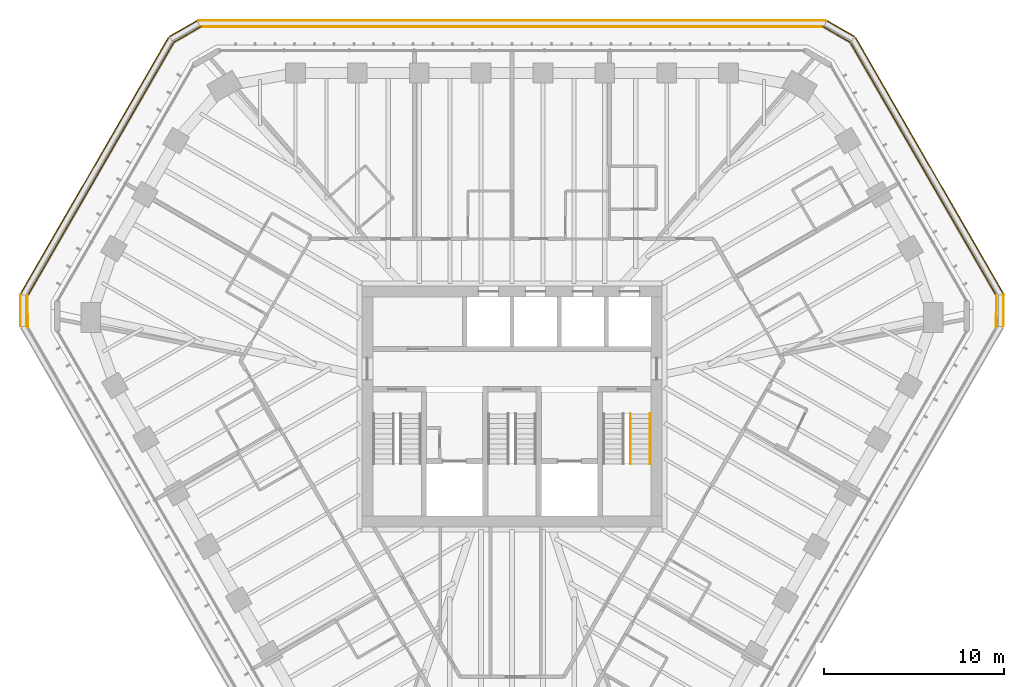
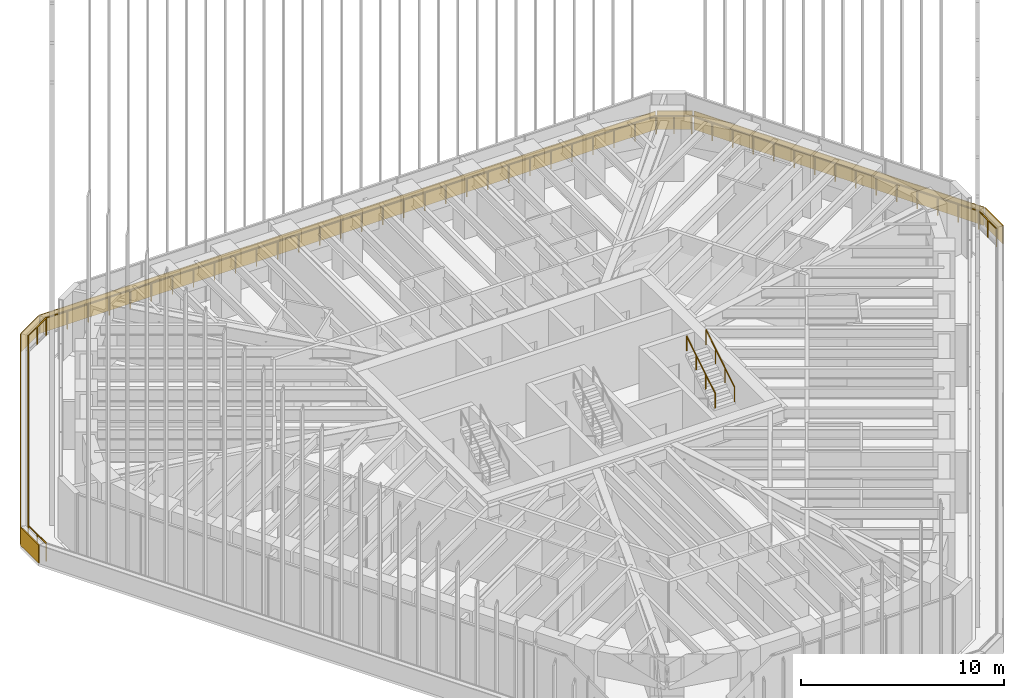
# One storey, part 127 of 127: 9 railings, 7 coverings.
"""IFC4 building model written with IfcOpenShell, lengths in metres."""

import ifcopenshell
import ifcopenshell.guid

model = None  # the IFC model being written
_history = None  # IfcOwnerHistory: only IFC2X3 demands one
_inside = {}  # id of a spatial element -> (the spatial element, [elements in it])
_under = {}  # id of a project, library or spatial element -> (it, [spatial elements below it])
_declared = {}  # id of a project -> (the project, [libraries it declares])
_typed = {}  # id of a type object -> (the type object, [elements of that type])
_made_of = {}  # id of a material, layer set ... -> (it, [elements and type objects made of it])


def new_model(schema):
    """Start an empty IFC model of exactly this schema.

    Asked for "IFC4X3", IfcOpenShell would pick the latest addendum, in which some entities
    have other attributes; the version numbers below select the first issue.
    IFC2X3 requires an IfcOwnerHistory on every rooted entity: one is made here for all.
    """
    global model, _history
    if schema == "IFC4X3":
        model = ifcopenshell.file(schema_version=(4, 3, 0, 0))
    else:
        model = ifcopenshell.file(schema=schema)
    _inside.clear()
    _under.clear()
    _declared.clear()
    _typed.clear()
    _made_of.clear()
    _history = None
    if model.schema == "IFC2X3":
        org = make("IfcOrganization", Name="unknown")
        user = make(
            "IfcPersonAndOrganization",
            ThePerson=make("IfcPerson", FamilyName="unknown"),
            TheOrganization=org,
        )
        app = make(
            "IfcApplication",
            ApplicationDeveloper=org,
            Version="unknown",
            ApplicationFullName="unknown",
            ApplicationIdentifier="unknown",
        )
        _history = make(
            "IfcOwnerHistory",
            OwningUser=user,
            OwningApplication=app,
            ChangeAction="ADDED",
            CreationDate=0,
        )
    return model


def make(cls, **values):
    """One entity of the class cls with the attributes given. An attribute that is None is left unset."""
    return model.create_entity(
        cls, **{name: value for name, value in values.items() if value is not None}
    )


def rooted(cls, **values):
    """An entity with a GlobalId (a new one), such as an element, a storey or a relation."""
    return make(cls, GlobalId=ifcopenshell.guid.new(), OwnerHistory=_history, **values)


def si_unit(unit_type, name, prefix=None):
    """IfcSIUnit, for example si_unit("LENGTHUNIT", "METRE", prefix="MILLI")."""
    return make("IfcSIUnit", UnitType=unit_type, Prefix=prefix, Name=name)


def assignment(units):
    """IfcUnitAssignment: the units of a project."""
    return None if units is None else make("IfcUnitAssignment", Units=units)


def point(xyz):
    """IfcCartesianPoint."""
    return None if xyz is None else make("IfcCartesianPoint", Coordinates=xyz)


def direction(xyz):
    """IfcDirection."""
    return None if xyz is None else make("IfcDirection", DirectionRatios=xyz)


def frame(location, z_axis=None, x_axis=None):
    """IfcAxis2Placement3D, a coordinate frame: its origin and axes. An axis left out is left unset."""
    return make(
        "IfcAxis2Placement3D",
        Location=point(location),
        Axis=direction(z_axis),
        RefDirection=direction(x_axis),
    )


def frame_2d(location, x_axis=None):
    """IfcAxis2Placement2D, a coordinate frame in the plane: its origin and x axis."""
    return make(
        "IfcAxis2Placement2D", Location=point(location), RefDirection=direction(x_axis)
    )


def origin():
    """The frame at (0, 0, 0) with its axes left unset."""
    return frame((0.0, 0.0, 0.0))


def origin_2d():
    """The frame at (0, 0) in the plane with its x axis left unset."""
    return frame_2d((0.0, 0.0))


def place(relative_to, where):
    """IfcLocalPlacement: puts the frame where relative to a parent placement (None: the world)."""
    return make(
        "IfcLocalPlacement", PlacementRelTo=relative_to, RelativePlacement=where
    )


def context(
    kind, dimensions, precision=None, world=None, true_north=None, identifier=None
):
    """IfcGeometricRepresentationContext, for example the 3D "Model" context."""
    return make(
        "IfcGeometricRepresentationContext",
        ContextIdentifier=identifier,
        ContextType=kind,
        CoordinateSpaceDimension=dimensions,
        Precision=precision,
        WorldCoordinateSystem=world,
        TrueNorth=true_north,
    )


def subcontext(parent, identifier, kind, view, scale=None):
    """IfcGeometricRepresentationSubContext, for example "Body" below "Model"."""
    return make(
        "IfcGeometricRepresentationSubContext",
        ContextIdentifier=identifier,
        ContextType=kind,
        ParentContext=parent,
        TargetScale=scale,
        TargetView=view,
    )


def project(units=None, contexts=None):
    """IfcProject with its units and contexts."""
    return rooted(
        "IfcProject",
        Name="project",
        RepresentationContexts=contexts,
        UnitsInContext=assignment(units),
    )


def spatial(cls, under=None, at=None, **own):
    """A site, building, storey or space (cls), placed at a placement, below another one or the project."""
    s = rooted(cls, ObjectPlacement=at, **own)
    if under is not None:
        _under.setdefault(under.id(), (under, []))[1].append(s)
    return s


def profile(cls, at=None, kind="AREA", **sizes):
    """A parametric profile (cls). Its sizes go by their IFC names, for example OverallWidth=200.0."""
    return make(cls, ProfileType=kind, Position=at, **sizes)


def rectangle(**sizes):
    """IfcRectangleProfileDef."""
    return profile("IfcRectangleProfileDef", **sizes)


def circle(**sizes):
    """IfcCircleProfileDef."""
    return profile("IfcCircleProfileDef", **sizes)


def extrude(swept, where, along, depth):
    """IfcExtrudedAreaSolid: the profile swept, set in the frame where, extruded along a direction by depth."""
    return make(
        "IfcExtrudedAreaSolid",
        SweptArea=swept,
        Position=where,
        ExtrudedDirection=direction(along),
        Depth=depth,
    )


def shape(context_of_items, identifier, shape_type, items):
    """IfcShapeRepresentation: the items that make up one representation, for example the "Body"."""
    return make(
        "IfcShapeRepresentation",
        ContextOfItems=context_of_items,
        RepresentationIdentifier=identifier,
        RepresentationType=shape_type,
        Items=items,
    )


def material(Name=None, Category=None):
    """IfcMaterial."""
    return make("IfcMaterial", Name=Name, Category=Category)


def layer(
    of_material, thickness, ventilated=None, Name=None, Category=None, Priority=None
):
    """IfcMaterialLayer: one layer of a wall or slab, of a material (None: an air gap)."""
    return make(
        "IfcMaterialLayer",
        Material=of_material,
        LayerThickness=thickness,
        IsVentilated=ventilated,
        Name=Name,
        Category=Category,
        Priority=Priority,
    )


def layer_set(layers, Name=None):
    """IfcMaterialLayerSet."""
    return make("IfcMaterialLayerSet", MaterialLayers=layers, LayerSetName=Name)


def made_of(thing, what):
    """Note that an element or type object is made of a material, layer set ...; save() writes the relation."""
    if what is not None:
        _made_of.setdefault(what.id(), (what, []))[1].append(thing)
    return thing


def type_object(cls, material=None, **own):
    """A type object (cls), such as IfcWallType, which elements share."""
    return made_of(rooted(cls, **own), material)


def element(
    cls,
    number,
    at=None,
    inside=None,
    cuts=None,
    type_object=None,
    material=None,
    context=None,
    identifier="Body",
    shape_type=None,
    held_by="IfcProductDefinitionShape",
    body=None,
    shapes=None,
    **own,
):
    """One element of the class cls, such as IfcWall. Its Tag is "e" and its number.

    at: its placement. inside: the storey or other place that contains it. cuts: it is an
    opening in that element (IfcRelVoidsElement). A single representation is given by context,
    identifier, shape_type and body (its items); several are given by shapes. held_by: the class
    of the entity that holds the representations. save() writes the other relations.
    """
    e = rooted(cls, Tag="e%d" % number, ObjectPlacement=at, **own)
    if body is not None:
        shapes = [shape(context, identifier, shape_type, body)]
    if shapes is not None:
        e.Representation = make(held_by, Representations=shapes)
    if inside is not None:
        _inside.setdefault(inside.id(), (inside, []))[1].append(e)
    if cuts is not None:
        rooted(
            "IfcRelVoidsElement", RelatingBuildingElement=cuts, RelatedOpeningElement=e
        )
    if type_object is not None:
        _typed.setdefault(type_object.id(), (type_object, []))[1].append(e)
    return made_of(e, material)


def aggregate(whole, parts):
    """IfcRelAggregates: a whole, such as a stair, and the parts it consists of."""
    return rooted("IfcRelAggregates", RelatingObject=whole, RelatedObjects=parts)


def save(model, path):
    """Write the relations noted so far, then the file.

    IfcRelAggregates (storeys below a building ...), IfcRelContainedInSpatialStructure (elements
    in a storey), IfcRelDefinesByType, IfcRelAssociatesMaterial and IfcRelDeclares: one each for
    every whole, place, type object, material and project.
    """
    for whole, parts in _under.values():
        aggregate(whole, parts)
    for where, things in _inside.values():
        rooted(
            "IfcRelContainedInSpatialStructure",
            RelatedElements=things,
            RelatingStructure=where,
        )
    for kind, things in _typed.values():
        rooted("IfcRelDefinesByType", RelatedObjects=things, RelatingType=kind)
    for what, things in _made_of.values():
        rooted("IfcRelAssociatesMaterial", RelatedObjects=things, RelatingMaterial=what)
    for by, libraries in _declared.values():
        rooted("IfcRelDeclares", RelatingContext=by, RelatedDefinitions=libraries)
    model.write(path)


model = new_model("IFC4")

# Units and contexts
model_context = context("Model", 3, precision=1e-05, world=origin(), true_north=direction((0.0, 1.0)))
body_context = subcontext(model_context, "Body", "Model", "MODEL_VIEW")
ifc_project = project(units=[si_unit("LENGTHUNIT", "METRE"), si_unit("AREAUNIT", "SQUARE_METRE"), si_unit("VOLUMEUNIT", "CUBIC_METRE"), si_unit("PLANEANGLEUNIT", "RADIAN"), si_unit("MASSUNIT", "GRAM", prefix="KILO")], contexts=[model_context])

# Site, building, storey
site_placement = place(None, origin())
site = spatial("IfcSite", under=ifc_project, at=site_placement, CompositionType="ELEMENT")
building_placement = place(site_placement, origin())
building = spatial("IfcBuilding", under=site, at=building_placement, Name="Sandreach Pilgrim Tower", CompositionType="ELEMENT")
storey_placement = place(building_placement, frame((0.0, 0.0, 257.0)))
storey = spatial("IfcBuildingStorey", under=building, at=storey_placement, Name="L64", CompositionType="ELEMENT", Elevation=257.0)

# Railings
ifc_material_1 = material(Name="Galvanised steel guardrail", Category="steel")
railing_type_1 = type_object("IfcRailingType", Name="Setback roof guard", PredefinedType="GUARDRAIL", material=ifc_material_1)
railing_1_placement = place(storey_placement, frame((-17.309814453125, 21.150634765625, 0.0)))
element("IfcRailing", 1, at=railing_1_placement, inside=storey, type_object=railing_type_1, Name="Setback maintenance roof guard L64 1", PredefinedType="GUARDRAIL", context=body_context, shape_type="SweptSolid", body=[
    extrude(circle(Radius=0.02392578125, at=origin_2d()), frame((0.0, 0.0, 1.076171875), z_axis=(-0.867363799103, -0.497674632673, 0.0), x_axis=(0.497674632673, -0.867363799103, 0.0)), (0.0, 0.0, 1.0), 1.745361328125),
    extrude(circle(Radius=0.02099609375, at=origin_2d()), origin(), (0.0, 0.0, 1.0), 1.052001953125),
    extrude(circle(Radius=0.02099609375, at=origin_2d()), frame((-0.7568359375, -0.434326171875, 0.0)), (0.0, 0.0, 1.0), 1.052001953125),
    extrude(circle(Radius=0.02099609375, at=origin_2d()), frame((-1.513916015625, -0.86865234375, 0.0)), (0.0, 0.0, 1.0), 1.052001953125),
])
railing_2_placement = place(storey_placement, frame((-18.82373046875, 20.281982421875, 0.0)))
element("IfcRailing", 2, at=railing_2_placement, inside=storey, type_object=railing_type_1, Name="Setback maintenance roof guard L64 2", PredefinedType="GUARDRAIL", context=body_context, shape_type="SweptSolid", body=[
    extrude(circle(Radius=0.02392578125, at=origin_2d()), frame((0.0, 0.0, 1.076171875), z_axis=(-0.500000678604, -0.866025011992, 0.0), x_axis=(0.866025011992, -0.500000678604, 0.0)), (0.0, 0.0, 1.0), 16.3056640625),
    extrude(circle(Radius=0.02099609375, at=origin_2d()), origin(), (0.0, 0.0, 1.0), 1.052001953125),
    extrude(circle(Radius=0.02099609375, at=origin_2d()), frame((-0.582275390625, -1.008544921875, 0.0)), (0.0, 0.0, 1.0), 1.052001953125),
    extrude(circle(Radius=0.02099609375, at=origin_2d()), frame((-1.164794921875, -2.017333984375, 0.0)), (0.0, 0.0, 1.0), 1.052001953125),
    extrude(circle(Radius=0.02099609375, at=origin_2d()), frame((-1.7470703125, -3.02587890625, 0.0)), (0.0, 0.0, 1.0), 1.052001953125),
    extrude(circle(Radius=0.02099609375, at=origin_2d()), frame((-2.329345703125, -4.03466796875, 0.0)), (0.0, 0.0, 1.0), 1.052001953125),
    extrude(circle(Radius=0.02099609375, at=origin_2d()), frame((-2.91162109375, -5.043212890625, 0.0)), (0.0, 0.0, 1.0), 1.052001953125),
    extrude(circle(Radius=0.02099609375, at=origin_2d()), frame((-3.494140625, -6.052001953125, 0.0)), (0.0, 0.0, 1.0), 1.052001953125),
    extrude(circle(Radius=0.02099609375, at=origin_2d()), frame((-4.076416015625, -7.060546875, 0.0)), (0.0, 0.0, 1.0), 1.052001953125),
    extrude(circle(Radius=0.02099609375, at=origin_2d()), frame((-4.65869140625, -8.069091796875, 0.0)), (0.0, 0.0, 1.0), 1.052001953125),
    extrude(circle(Radius=0.02099609375, at=origin_2d()), frame((-5.2412109375, -9.077880859375, 0.0)), (0.0, 0.0, 1.0), 1.052001953125),
    extrude(circle(Radius=0.02099609375, at=origin_2d()), frame((-5.823486328125, -10.08642578125, 0.0)), (0.0, 0.0, 1.0), 1.052001953125),
    extrude(circle(Radius=0.02099609375, at=origin_2d()), frame((-6.40576171875, -11.09521484375, 0.0)), (0.0, 0.0, 1.0), 1.052001953125),
    extrude(circle(Radius=0.02099609375, at=origin_2d()), frame((-6.988037109375, -12.103759765625, 0.0)), (0.0, 0.0, 1.0), 1.052001953125),
    extrude(circle(Radius=0.02099609375, at=origin_2d()), frame((-7.570556640625, -13.112548828125, 0.0)), (0.0, 0.0, 1.0), 1.052001953125),
    extrude(circle(Radius=0.02099609375, at=origin_2d()), frame((-8.15283203125, -14.12109375, 0.0)), (0.0, 0.0, 1.0), 1.052001953125),
])
railing_3_placement = place(storey_placement, frame((-26.9765625, 6.160888671875, 0.0)))
element("IfcRailing", 3, at=railing_3_placement, inside=storey, type_object=railing_type_1, Name="Setback maintenance roof guard L64 3", PredefinedType="GUARDRAIL", context=body_context, shape_type="SweptSolid", body=[
    extrude(circle(Radius=0.02392578125, at=origin_2d()), frame((0.0, 0.0, 1.076171875), z_axis=(0.002797583121, -0.999996086757, 0.0), x_axis=(0.999996086757, 0.002797583121, 0.0)), (0.0, 0.0, 1.0), 1.745361328125),
    extrude(circle(Radius=0.02099609375, at=origin_2d()), origin(), (0.0, 0.0, 1.0), 1.052001953125),
    extrude(circle(Radius=0.02099609375, at=origin_2d()), frame((0.00244140625, -0.87255859375, 0.0)), (0.0, 0.0, 1.0), 1.052001953125),
    extrude(circle(Radius=0.02099609375, at=origin_2d()), frame((0.0048828125, -1.745361328125, 0.0)), (0.0, 0.0, 1.0), 1.052001953125),
])
railing_4_placement = place(storey_placement, frame((26.9716796875, 4.41552734375, 0.0)))
element("IfcRailing", 4, at=railing_4_placement, inside=storey, type_object=railing_type_1, Name="Setback maintenance roof guard L64 9", PredefinedType="GUARDRAIL", context=body_context, shape_type="SweptSolid", body=[
    extrude(circle(Radius=0.02392578125, at=origin_2d()), frame((0.0, 0.0, 1.076171875), z_axis=(0.002797583121, 0.999996086757, 0.0), x_axis=(-0.999996086757, 0.002797583121, 0.0)), (0.0, 0.0, 1.0), 1.745361328125),
    extrude(circle(Radius=0.02099609375, at=origin_2d()), origin(), (0.0, 0.0, 1.0), 1.052001953125),
    extrude(circle(Radius=0.02099609375, at=origin_2d()), frame((0.00244140625, 0.87255859375, 0.0)), (0.0, 0.0, 1.0), 1.052001953125),
    extrude(circle(Radius=0.02099609375, at=origin_2d()), frame((0.0048828125, 1.745361328125, 0.0)), (0.0, 0.0, 1.0), 1.052001953125),
])
railing_5_placement = place(storey_placement, frame((26.9765625, 6.160888671875, 0.0)))
element("IfcRailing", 5, at=railing_5_placement, inside=storey, type_object=railing_type_1, Name="Setback maintenance roof guard L64 10", PredefinedType="GUARDRAIL", context=body_context, shape_type="SweptSolid", body=[
    extrude(circle(Radius=0.02392578125, at=origin_2d()), frame((0.0, 0.0, 1.076171875), z_axis=(-0.500000678604, 0.866025011992, 0.0), x_axis=(-0.866025011992, -0.500000678604, 0.0)), (0.0, 0.0, 1.0), 16.3056640625),
    extrude(circle(Radius=0.02099609375, at=origin_2d()), origin(), (0.0, 0.0, 1.0), 1.052001953125),
    extrude(circle(Radius=0.02099609375, at=origin_2d()), frame((-0.582275390625, 1.008544921875, 0.0)), (0.0, 0.0, 1.0), 1.052001953125),
    extrude(circle(Radius=0.02099609375, at=origin_2d()), frame((-1.164794921875, 2.017333984375, 0.0)), (0.0, 0.0, 1.0), 1.052001953125),
    extrude(circle(Radius=0.02099609375, at=origin_2d()), frame((-1.7470703125, 3.02587890625, 0.0)), (0.0, 0.0, 1.0), 1.052001953125),
    extrude(circle(Radius=0.02099609375, at=origin_2d()), frame((-2.329345703125, 4.03466796875, 0.0)), (0.0, 0.0, 1.0), 1.052001953125),
    extrude(circle(Radius=0.02099609375, at=origin_2d()), frame((-2.91162109375, 5.043212890625, 0.0)), (0.0, 0.0, 1.0), 1.052001953125),
    extrude(circle(Radius=0.02099609375, at=origin_2d()), frame((-3.494140625, 6.052001953125, 0.0)), (0.0, 0.0, 1.0), 1.052001953125),
    extrude(circle(Radius=0.02099609375, at=origin_2d()), frame((-4.076416015625, 7.060546875, 0.0)), (0.0, 0.0, 1.0), 1.052001953125),
    extrude(circle(Radius=0.02099609375, at=origin_2d()), frame((-4.65869140625, 8.069091796875, 0.0)), (0.0, 0.0, 1.0), 1.052001953125),
    extrude(circle(Radius=0.02099609375, at=origin_2d()), frame((-5.2412109375, 9.077880859375, 0.0)), (0.0, 0.0, 1.0), 1.052001953125),
    extrude(circle(Radius=0.02099609375, at=origin_2d()), frame((-5.823486328125, 10.08642578125, 0.0)), (0.0, 0.0, 1.0), 1.052001953125),
    extrude(circle(Radius=0.02099609375, at=origin_2d()), frame((-6.40576171875, 11.09521484375, 0.0)), (0.0, 0.0, 1.0), 1.052001953125),
    extrude(circle(Radius=0.02099609375, at=origin_2d()), frame((-6.988037109375, 12.103759765625, 0.0)), (0.0, 0.0, 1.0), 1.052001953125),
    extrude(circle(Radius=0.02099609375, at=origin_2d()), frame((-7.570556640625, 13.112548828125, 0.0)), (0.0, 0.0, 1.0), 1.052001953125),
    extrude(circle(Radius=0.02099609375, at=origin_2d()), frame((-8.15283203125, 14.12109375, 0.0)), (0.0, 0.0, 1.0), 1.052001953125),
])
railing_6_placement = place(storey_placement, frame((18.82373046875, 20.281982421875, 0.0)))
element("IfcRailing", 6, at=railing_6_placement, inside=storey, type_object=railing_type_1, Name="Setback maintenance roof guard L64 11", PredefinedType="GUARDRAIL", context=body_context, shape_type="SweptSolid", body=[
    extrude(circle(Radius=0.02392578125, at=origin_2d()), frame((0.0, 0.0, 1.076171875), z_axis=(-0.867363799103, 0.497674632673, 0.0), x_axis=(-0.497674632673, -0.867363799103, 0.0)), (0.0, 0.0, 1.0), 1.745361328125),
    extrude(circle(Radius=0.02099609375, at=origin_2d()), origin(), (0.0, 0.0, 1.0), 1.052001953125),
    extrude(circle(Radius=0.02099609375, at=origin_2d()), frame((-0.7568359375, 0.434326171875, 0.0)), (0.0, 0.0, 1.0), 1.052001953125),
    extrude(circle(Radius=0.02099609375, at=origin_2d()), frame((-1.513916015625, 0.86865234375, 0.0)), (0.0, 0.0, 1.0), 1.052001953125),
])
railing_7_placement = place(storey_placement, frame((17.309814453125, 21.150634765625, 0.0)))
element("IfcRailing", 7, at=railing_7_placement, inside=storey, type_object=railing_type_1, Name="Setback maintenance roof guard L64 12", PredefinedType="GUARDRAIL", context=body_context, shape_type="SweptSolid", body=[
    extrude(circle(Radius=0.02392578125, at=origin_2d()), frame((0.0, 0.0, 1.076171875), z_axis=(-1.0, 0.0, 0.0), x_axis=(0.0, -1.0, 0.0)), (0.0, 0.0, 1.0), 34.61962890625),
    extrude(circle(Radius=0.02099609375, at=origin_2d()), origin(), (0.0, 0.0, 1.0), 1.052001953125),
    extrude(circle(Radius=0.02099609375, at=origin_2d()), frame((-1.19384765625, 0.0, 0.0)), (0.0, 0.0, 1.0), 1.052001953125),
    extrude(circle(Radius=0.02099609375, at=origin_2d()), frame((-2.387451171875, 0.0, 0.0)), (0.0, 0.0, 1.0), 1.052001953125),
    extrude(circle(Radius=0.02099609375, at=origin_2d()), frame((-3.581298828125, 0.0, 0.0)), (0.0, 0.0, 1.0), 1.052001953125),
    extrude(circle(Radius=0.02099609375, at=origin_2d()), frame((-4.775146484375, 0.0, 0.0)), (0.0, 0.0, 1.0), 1.052001953125),
    extrude(circle(Radius=0.02099609375, at=origin_2d()), frame((-5.968994140625, 0.0, 0.0)), (0.0, 0.0, 1.0), 1.052001953125),
    extrude(circle(Radius=0.02099609375, at=origin_2d()), frame((-7.16259765625, 0.0, 0.0)), (0.0, 0.0, 1.0), 1.052001953125),
    extrude(circle(Radius=0.02099609375, at=origin_2d()), frame((-8.3564453125, 0.0, 0.0)), (0.0, 0.0, 1.0), 1.052001953125),
    extrude(circle(Radius=0.02099609375, at=origin_2d()), frame((-9.55029296875, 0.0, 0.0)), (0.0, 0.0, 1.0), 1.052001953125),
    extrude(circle(Radius=0.02099609375, at=origin_2d()), frame((-10.744140625, 0.0, 0.0)), (0.0, 0.0, 1.0), 1.052001953125),
    extrude(circle(Radius=0.02099609375, at=origin_2d()), frame((-11.937744140625, 0.0, 0.0)), (0.0, 0.0, 1.0), 1.052001953125),
    extrude(circle(Radius=0.02099609375, at=origin_2d()), frame((-13.131591796875, 0.0, 0.0)), (0.0, 0.0, 1.0), 1.052001953125),
    extrude(circle(Radius=0.02099609375, at=origin_2d()), frame((-14.325439453125, 0.0, 0.0)), (0.0, 0.0, 1.0), 1.052001953125),
    extrude(circle(Radius=0.02099609375, at=origin_2d()), frame((-15.51904296875, 0.0, 0.0)), (0.0, 0.0, 1.0), 1.052001953125),
    extrude(circle(Radius=0.02099609375, at=origin_2d()), frame((-16.712890625, 0.0, 0.0)), (0.0, 0.0, 1.0), 1.052001953125),
    extrude(circle(Radius=0.02099609375, at=origin_2d()), frame((-17.90673828125, 0.0, 0.0)), (0.0, 0.0, 1.0), 1.052001953125),
    extrude(circle(Radius=0.02099609375, at=origin_2d()), frame((-19.1005859375, 0.0, 0.0)), (0.0, 0.0, 1.0), 1.052001953125),
    extrude(circle(Radius=0.02099609375, at=origin_2d()), frame((-20.294189453125, 0.0, 0.0)), (0.0, 0.0, 1.0), 1.052001953125),
    extrude(circle(Radius=0.02099609375, at=origin_2d()), frame((-21.488037109375, 0.0, 0.0)), (0.0, 0.0, 1.0), 1.052001953125),
    extrude(circle(Radius=0.02099609375, at=origin_2d()), frame((-22.681884765625, 0.0, 0.0)), (0.0, 0.0, 1.0), 1.052001953125),
    extrude(circle(Radius=0.02099609375, at=origin_2d()), frame((-23.87548828125, 0.0, 0.0)), (0.0, 0.0, 1.0), 1.052001953125),
    extrude(circle(Radius=0.02099609375, at=origin_2d()), frame((-25.0693359375, 0.0, 0.0)), (0.0, 0.0, 1.0), 1.052001953125),
    extrude(circle(Radius=0.02099609375, at=origin_2d()), frame((-26.26318359375, 0.0, 0.0)), (0.0, 0.0, 1.0), 1.052001953125),
    extrude(circle(Radius=0.02099609375, at=origin_2d()), frame((-27.45703125, 0.0, 0.0)), (0.0, 0.0, 1.0), 1.052001953125),
    extrude(circle(Radius=0.02099609375, at=origin_2d()), frame((-28.650634765625, 0.0, 0.0)), (0.0, 0.0, 1.0), 1.052001953125),
    extrude(circle(Radius=0.02099609375, at=origin_2d()), frame((-29.844482421875, 0.0, 0.0)), (0.0, 0.0, 1.0), 1.052001953125),
    extrude(circle(Radius=0.02099609375, at=origin_2d()), frame((-31.038330078125, 0.0, 0.0)), (0.0, 0.0, 1.0), 1.052001953125),
    extrude(circle(Radius=0.02099609375, at=origin_2d()), frame((-32.232177734375, 0.0, 0.0)), (0.0, 0.0, 1.0), 1.052001953125),
    extrude(circle(Radius=0.02099609375, at=origin_2d()), frame((-33.42578125, 0.0, 0.0)), (0.0, 0.0, 1.0), 1.052001953125),
    extrude(circle(Radius=0.02099609375, at=origin_2d()), frame((-34.61962890625, 0.0, 0.0)), (0.0, 0.0, 1.0), 1.052001953125),
])
ifc_material_2 = material(Name="Stainless steel tube", Category="steel")
railing_type_2 = type_object("IfcRailingType", Name="Stair handrail", PredefinedType="HANDRAIL", material=ifc_material_2)
for number, where, name in (
    (8, (6.60009765625, -3.199951171875, 2.07275390625), "Handrail ST2 L64 flight 2"),
    (9, (7.699951171875, -3.199951171875, 2.07275390625), "Handrail ST2 L64 flight 2"),
):
    element("IfcRailing", number, at=place(storey_placement, frame(where)), inside=storey, type_object=railing_type_2, Name=name, PredefinedType="HANDRAIL", context=body_context, shape_type="SweptSolid", body=[
        extrude(circle(Radius=0.02392578125, at=origin_2d()), frame((0.0, 0.0, 0.8759765625), z_axis=(0.0, 0.851089632645, 0.525020415988), x_axis=(-1.0, 0.0, 0.0)), (0.0, 0.0, 1.0), 3.2900390625),
        extrude(circle(Radius=0.02099609375, at=origin_2d()), origin(), (0.0, 0.0, 1.0), 0.851806640625),
        extrude(circle(Radius=0.02099609375, at=origin_2d()), frame((0.0, 0.933349609375, 0.57568359375)), (0.0, 0.0, 1.0), 0.851806640625),
        extrude(circle(Radius=0.02099609375, at=origin_2d()), frame((0.0, 1.86669921875, 1.151611328125)), (0.0, 0.0, 1.0), 0.851806640625),
        extrude(circle(Radius=0.02099609375, at=origin_2d()), frame((0.0, 2.800048828125, 1.727294921875)), (0.0, 0.0, 1.0), 0.851806640625),
    ])

# Coverings
ifc_material_3 = material(Name="Terracotta rainscreen panels on aluminium rails", Category="masonry")
ifc_layer = layer(ifc_material_3, 0.050048828125)
ifc_layer_set = layer_set([ifc_layer], Name="Terracotta rainscreen cladding 50")
covering_type = type_object("IfcCoveringType", Name="Terracotta rainscreen cladding 50", PredefinedType="CLADDING", material=ifc_layer_set)
covering_1_placement = place(storey_placement, frame((-17.54296875, 21.47412109375, 0.0), z_axis=(0.0, 0.0, 1.0), x_axis=(-0.866531606097, -0.499122205112, 0.0)))
element("IfcCovering", 10, at=covering_1_placement, inside=storey, type_object=covering_type, Name="Rainscreen cladding on setback parapet l64 1", PredefinedType="CLADDING", context=body_context, shape_type="SweptSolid", body=[
    extrude(rectangle(XDim=1.760986328125, YDim=0.050048828125, at=frame_2d((0.88037109375, 0.0))), origin(), (0.0, 0.0, 1.0), 1.10009765625),
])
covering_2_placement = place(storey_placement, frame((-19.123779296875, 20.540283203125, 0.0), z_axis=(0.0, 0.0, 1.0), x_axis=(-0.49999647861, -0.86602743685, 0.0)))
element("IfcCovering", 11, at=covering_2_placement, inside=storey, type_object=covering_type, Name="Rainscreen cladding on setback parapet l64 2", PredefinedType="CLADDING", context=body_context, shape_type="SweptSolid", body=[
    extrude(rectangle(XDim=16.45263671875, YDim=0.050048828125, at=frame_2d((8.226318359375, 0.0))), origin(), (0.0, 0.0, 1.0), 1.10009765625),
])
for number, where, z_axis, x_axis, name in (
    (12, (-27.370361328125, 6.216552734375, 0.0), (0.0, 0.0, 1.0), (0.001109107872, -0.99999938494, 0.0), "Rainscreen cladding on setback parapet l64 3"),
    (13, (27.368408203125, 4.45556640625, 0.0), (0.0, 0.0, 1.0), (0.001109107872, 0.99999938494, 0.0), "Rainscreen cladding on setback parapet l64 9"),
):
    element("IfcCovering", number, at=place(storey_placement, frame(where, z_axis=z_axis, x_axis=x_axis)), inside=storey, type_object=covering_type, Name=name, PredefinedType="CLADDING", context=body_context, shape_type="SweptSolid", body=[
        extrude(rectangle(XDim=1.760986328125, YDim=0.050048828125, at=frame_2d((0.88037109375, 0.0))), origin(), (0.0, 0.0, 1.0), 1.10009765625),
    ])
covering_3_placement = place(storey_placement, frame((27.35009765625, 6.291748046875, 0.0), z_axis=(0.0, 0.0, 1.0), x_axis=(-0.49999647861, 0.86602743685, 0.0)))
element("IfcCovering", 14, at=covering_3_placement, inside=storey, type_object=covering_type, Name="Rainscreen cladding on setback parapet l64 10", PredefinedType="CLADDING", context=body_context, shape_type="SweptSolid", body=[
    extrude(rectangle(XDim=16.45263671875, YDim=0.050048828125, at=frame_2d((8.226318359375, 0.0))), origin(), (0.0, 0.0, 1.0), 1.10009765625),
])
covering_4_placement = place(storey_placement, frame((19.06884765625, 20.59521484375, 0.0), z_axis=(0.0, 0.0, 1.0), x_axis=(-0.866531606097, 0.499122205112, 0.0)))
element("IfcCovering", 15, at=covering_4_placement, inside=storey, type_object=covering_type, Name="Rainscreen cladding on setback parapet l64 11", PredefinedType="CLADDING", context=body_context, shape_type="SweptSolid", body=[
    extrude(rectangle(XDim=1.760986328125, YDim=0.050048828125, at=frame_2d((0.88037109375, 0.0))), origin(), (0.0, 0.0, 1.0), 1.10009765625),
])
covering_5_placement = place(storey_placement, frame((17.468017578125, 21.494140625, 0.0), z_axis=(0.0, 0.0, 1.0), x_axis=(-1.0, 0.0, 0.0)))
element("IfcCovering", 16, at=covering_5_placement, inside=storey, type_object=covering_type, Name="Rainscreen cladding on setback parapet l64 12", PredefinedType="CLADDING", context=body_context, shape_type="SweptSolid", body=[
    extrude(rectangle(XDim=34.93603515625, YDim=0.050048828125, at=frame_2d((17.468017578125, 0.0))), origin(), (0.0, 0.0, 1.0), 1.10009765625),
])

save(model, "model.ifc")
